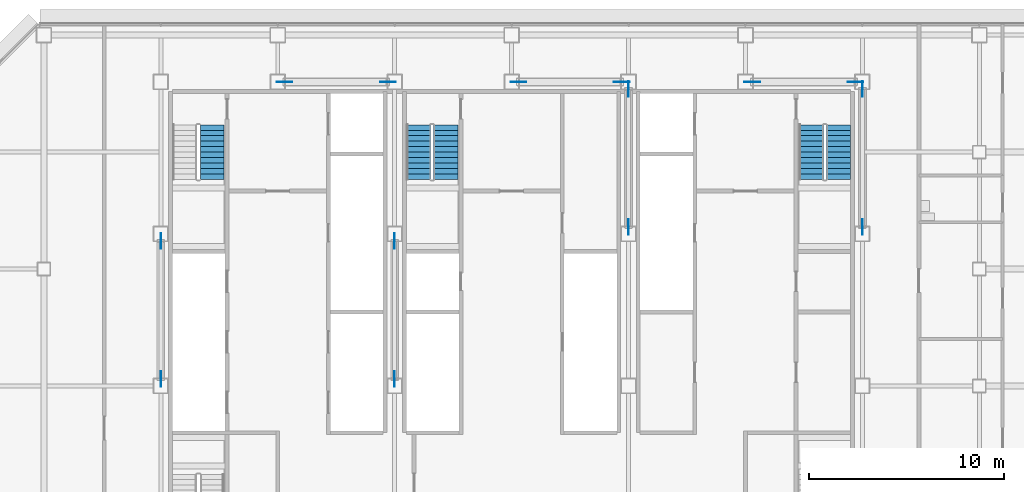
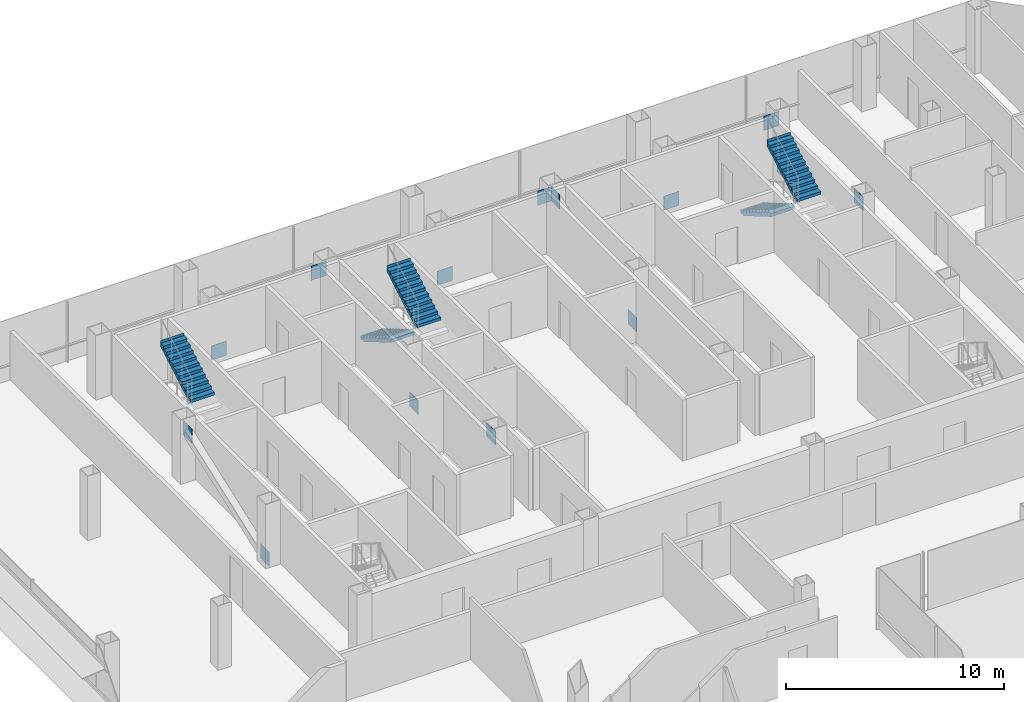
# One storey, part 22 of 26: 14 discrete accessories, 5 stair flights, 3 elements without a shape of their own.
"""IFC4 building model written with IfcOpenShell, lengths in metres."""

from ifc_helpers import new_model, si_unit, direction, frame, origin, origin_2d, place, context, subcontext, project, spatial, polyline, rectangle, outline, extrude, material, layer, layer_set, type_object, element, aggregate, save


model = new_model("IFC4")

# Units and contexts
model_context = context("Model", 3, precision=1e-05, world=origin(), true_north=direction((0.0, 1.0)))
body_context = subcontext(model_context, "Body", "Model", "MODEL_VIEW")
ifc_project = project(units=[si_unit("LENGTHUNIT", "METRE"), si_unit("AREAUNIT", "SQUARE_METRE"), si_unit("VOLUMEUNIT", "CUBIC_METRE"), si_unit("PLANEANGLEUNIT", "RADIAN"), si_unit("MASSUNIT", "GRAM", prefix="KILO")], contexts=[model_context])

# Site, building, storey
site_placement = place(None, origin())
site = spatial("IfcSite", under=ifc_project, at=site_placement, CompositionType="ELEMENT")
building_placement = place(site_placement, origin())
building = spatial("IfcBuilding", under=site, at=building_placement, Name="Sorahane Residences", CompositionType="ELEMENT")
storey_placement = place(building_placement, frame((0.0, 0.0, 103.39990234375)))
storey = spatial("IfcBuildingStorey", under=building, at=storey_placement, Name="L22", CompositionType="ELEMENT", Elevation=103.39990234375)

# Stair, stair flight
ifc_material_1 = material(Name="Concrete C40", Category="concrete")
stair_type = type_object("IfcStairType", Name="Dog-leg stair 1250 Concrete C40", PredefinedType="HALF_TURN_STAIR", material=ifc_material_1)
stair_1_placement = place(storey_placement, origin())
stair_1 = element("IfcStair", 1, at=stair_1_placement, inside=storey, type_object=stair_type, Name="L22 Stair S1", PredefinedType="HALF_TURN_STAIR")
ifc_material_2 = material(Name="Concrete C40", Category="concrete")
stair_flight_type = type_object("IfcStairFlightType", Name="Stair flight 1250 Concrete C40", PredefinedType="STRAIGHT", material=ifc_material_2)
stair_flight_1_placement = place(storey_placement, frame((8.625, 40.60009765625, 1.800048828125), z_axis=(0.0, 0.0, 1.0), x_axis=(0.0, 1.0, 0.0)))
stair_flight_1 = element("IfcStairFlight", 2, at=stair_flight_1_placement, type_object=stair_flight_type, Name="S1 flight 2", NumberOfRisers=11, NumberOfTreads=10, PredefinedType="STRAIGHT", RiserHeight=0.163636364, TreadLength=0.28, context=body_context, shape_type="SweptSolid", body=[
    extrude(outline(polyline([(0.0, 0.0), (0.0, 0.16357421875), (0.280029296875, 0.16357421875), (0.280029296875, 0.327392578125), (0.56005859375, 0.327392578125), (0.56005859375, 0.490966796875), (0.840087890625, 0.490966796875), (0.840087890625, 0.654541015625), (1.1201171875, 0.654541015625), (1.1201171875, 0.818115234375), (1.39990234375, 0.818115234375), (1.39990234375, 0.98193359375), (1.679931640625, 0.98193359375), (1.679931640625, 1.1455078125), (1.9599609375, 1.1455078125), (1.9599609375, 1.30908203125), (2.239990234375, 1.30908203125), (2.239990234375, 1.47265625), (2.52001953125, 1.47265625), (2.52001953125, 1.636474609375), (2.800048828125, 1.636474609375), (2.800048828125, 1.800048828125), (2.801513671875, 1.800048828125), (2.801513671875, 1.462646484375), (2.5927734375, 1.3408203125), (2.384033203125, 1.218994140625), (2.17529296875, 1.09716796875), (1.966796875, 0.97509765625), (1.758056640625, 0.853271484375), (1.54931640625, 0.7314453125), (1.340576171875, 0.609375), (1.1318359375, 0.487548828125), (0.923095703125, 0.36572265625), (0.714599609375, 0.243896484375), (0.505859375, 0.121826171875), (0.297119140625, 0.0), (0.0, 0.0)])), frame((0.0, 0.625, 0.0), z_axis=(0.0, -1.0, 0.0), x_axis=(1.0, 0.0, 0.0)), (0.0, 0.0, 1.0), 1.25),
])
aggregate(stair_1, [stair_flight_1])

# Stair, stair flights
stair_2_placement = place(storey_placement, origin())
stair_2 = element("IfcStair", 3, at=stair_2_placement, inside=storey, type_object=stair_type, Name="L22 Stair S2", PredefinedType="HALF_TURN_STAIR")
stair_flight_2_placement = place(storey_placement, frame((39.375, 43.39990234375, 0.0), z_axis=(0.0, 0.0, 1.0), x_axis=(0.0, -1.0, 0.0)))
stair_flight_2 = element("IfcStairFlight", 4, at=stair_flight_2_placement, type_object=stair_flight_type, Name="S2 flight 1", NumberOfRisers=11, NumberOfTreads=10, PredefinedType="STRAIGHT", RiserHeight=0.163636364, TreadLength=0.28, context=body_context, shape_type="SweptSolid", body=[
    extrude(outline(polyline([(-0.00146484375, 0.0), (-0.00146484375, 0.16357421875), (0.0, 0.16357421875), (0.280029296875, 0.16357421875), (0.280029296875, 0.327392578125), (0.56005859375, 0.327392578125), (0.56005859375, 0.490966796875), (0.840087890625, 0.490966796875), (0.840087890625, 0.654541015625), (1.1201171875, 0.654541015625), (1.1201171875, 0.818115234375), (1.39990234375, 0.818115234375), (1.39990234375, 0.98193359375), (1.679931640625, 0.98193359375), (1.679931640625, 1.1455078125), (1.9599609375, 1.1455078125), (1.9599609375, 1.30908203125), (2.239990234375, 1.30908203125), (2.239990234375, 1.47265625), (2.52001953125, 1.47265625), (2.52001953125, 1.636474609375), (2.800048828125, 1.636474609375), (2.800048828125, 1.800048828125), (2.800048828125, 1.462646484375), (2.59130859375, 1.3408203125), (2.3828125, 1.218994140625), (2.17431640625, 1.09716796875), (1.965576171875, 0.97509765625), (1.757080078125, 0.853271484375), (1.548583984375, 0.7314453125), (1.340087890625, 0.609375), (1.13134765625, 0.487548828125), (0.9228515625, 0.36572265625), (0.71435546875, 0.243896484375), (0.505615234375, 0.121826171875), (0.297119140625, 0.0), (-0.00146484375, 0.0)])), frame((0.0, 0.625, 0.0), z_axis=(0.0, -1.0, 0.0), x_axis=(1.0, 0.0, 0.0)), (0.0, 0.0, 1.0), 1.25),
])
stair_flight_3_placement = place(storey_placement, frame((40.77490234375, 40.60009765625, 1.800048828125), z_axis=(0.0, 0.0, 1.0), x_axis=(0.0, 1.0, 0.0)))
stair_flight_3 = element("IfcStairFlight", 5, at=stair_flight_3_placement, type_object=stair_flight_type, Name="S2 flight 2", NumberOfRisers=11, NumberOfTreads=10, PredefinedType="STRAIGHT", RiserHeight=0.163636364, TreadLength=0.28, context=body_context, shape_type="SweptSolid", body=[
    extrude(outline(polyline([(0.0, 0.0), (0.0, 0.16357421875), (0.280029296875, 0.16357421875), (0.280029296875, 0.327392578125), (0.56005859375, 0.327392578125), (0.56005859375, 0.490966796875), (0.840087890625, 0.490966796875), (0.840087890625, 0.654541015625), (1.1201171875, 0.654541015625), (1.1201171875, 0.818115234375), (1.39990234375, 0.818115234375), (1.39990234375, 0.98193359375), (1.679931640625, 0.98193359375), (1.679931640625, 1.1455078125), (1.9599609375, 1.1455078125), (1.9599609375, 1.30908203125), (2.239990234375, 1.30908203125), (2.239990234375, 1.47265625), (2.52001953125, 1.47265625), (2.52001953125, 1.636474609375), (2.800048828125, 1.636474609375), (2.800048828125, 1.800048828125), (2.801513671875, 1.800048828125), (2.801513671875, 1.462646484375), (2.5927734375, 1.3408203125), (2.384033203125, 1.218994140625), (2.17529296875, 1.09716796875), (1.966796875, 0.97509765625), (1.758056640625, 0.853271484375), (1.54931640625, 0.7314453125), (1.340576171875, 0.609375), (1.1318359375, 0.487548828125), (0.923095703125, 0.36572265625), (0.714599609375, 0.243896484375), (0.505859375, 0.121826171875), (0.297119140625, 0.0), (0.0, 0.0)])), frame((0.0, 0.625, 0.0), z_axis=(0.0, -1.0, 0.0), x_axis=(1.0, 0.0, 0.0)), (0.0, 0.0, 1.0), 1.25),
])
aggregate(stair_2, [stair_flight_2, stair_flight_3])

stair_3_placement = place(storey_placement, origin())
stair_3 = element("IfcStair", 6, at=stair_3_placement, inside=storey, type_object=stair_type, Name="L22 Stair S3", PredefinedType="HALF_TURN_STAIR")
stair_flight_4_placement = place(storey_placement, frame((19.22509765625, 43.39990234375, 0.0), z_axis=(0.0, 0.0, 1.0), x_axis=(0.0, -1.0, 0.0)))
stair_flight_4 = element("IfcStairFlight", 7, at=stair_flight_4_placement, type_object=stair_flight_type, Name="S3 flight 1", NumberOfRisers=11, NumberOfTreads=10, PredefinedType="STRAIGHT", RiserHeight=0.163636364, TreadLength=0.28, context=body_context, shape_type="SweptSolid", body=[
    extrude(outline(polyline([(-0.00146484375, 0.0), (-0.00146484375, 0.16357421875), (0.0, 0.16357421875), (0.280029296875, 0.16357421875), (0.280029296875, 0.327392578125), (0.56005859375, 0.327392578125), (0.56005859375, 0.490966796875), (0.840087890625, 0.490966796875), (0.840087890625, 0.654541015625), (1.1201171875, 0.654541015625), (1.1201171875, 0.818115234375), (1.39990234375, 0.818115234375), (1.39990234375, 0.98193359375), (1.679931640625, 0.98193359375), (1.679931640625, 1.1455078125), (1.9599609375, 1.1455078125), (1.9599609375, 1.30908203125), (2.239990234375, 1.30908203125), (2.239990234375, 1.47265625), (2.52001953125, 1.47265625), (2.52001953125, 1.636474609375), (2.800048828125, 1.636474609375), (2.800048828125, 1.800048828125), (2.800048828125, 1.462646484375), (2.59130859375, 1.3408203125), (2.3828125, 1.218994140625), (2.17431640625, 1.09716796875), (1.965576171875, 0.97509765625), (1.757080078125, 0.853271484375), (1.548583984375, 0.7314453125), (1.340087890625, 0.609375), (1.13134765625, 0.487548828125), (0.9228515625, 0.36572265625), (0.71435546875, 0.243896484375), (0.505615234375, 0.121826171875), (0.297119140625, 0.0), (-0.00146484375, 0.0)])), frame((0.0, 0.625, 0.0), z_axis=(0.0, -1.0, 0.0), x_axis=(1.0, 0.0, 0.0)), (0.0, 0.0, 1.0), 1.25),
])
stair_flight_5_placement = place(storey_placement, frame((20.625, 40.60009765625, 1.800048828125), z_axis=(0.0, 0.0, 1.0), x_axis=(0.0, 1.0, 0.0)))
stair_flight_5 = element("IfcStairFlight", 8, at=stair_flight_5_placement, type_object=stair_flight_type, Name="S3 flight 2", NumberOfRisers=11, NumberOfTreads=10, PredefinedType="STRAIGHT", RiserHeight=0.163636364, TreadLength=0.28, context=body_context, shape_type="SweptSolid", body=[
    extrude(outline(polyline([(0.0, 0.0), (0.0, 0.16357421875), (0.280029296875, 0.16357421875), (0.280029296875, 0.327392578125), (0.56005859375, 0.327392578125), (0.56005859375, 0.490966796875), (0.840087890625, 0.490966796875), (0.840087890625, 0.654541015625), (1.1201171875, 0.654541015625), (1.1201171875, 0.818115234375), (1.39990234375, 0.818115234375), (1.39990234375, 0.98193359375), (1.679931640625, 0.98193359375), (1.679931640625, 1.1455078125), (1.9599609375, 1.1455078125), (1.9599609375, 1.30908203125), (2.239990234375, 1.30908203125), (2.239990234375, 1.47265625), (2.52001953125, 1.47265625), (2.52001953125, 1.636474609375), (2.800048828125, 1.636474609375), (2.800048828125, 1.800048828125), (2.801513671875, 1.800048828125), (2.801513671875, 1.462646484375), (2.5927734375, 1.3408203125), (2.384033203125, 1.218994140625), (2.17529296875, 1.09716796875), (1.966796875, 0.97509765625), (1.758056640625, 0.853271484375), (1.54931640625, 0.7314453125), (1.340576171875, 0.609375), (1.1318359375, 0.487548828125), (0.923095703125, 0.36572265625), (0.714599609375, 0.243896484375), (0.505859375, 0.121826171875), (0.297119140625, 0.0), (0.0, 0.0)])), frame((0.0, 0.625, 0.0), z_axis=(0.0, -1.0, 0.0), x_axis=(1.0, 0.0, 0.0)), (0.0, 0.0, 1.0), 1.25),
])
aggregate(stair_3, [stair_flight_4, stair_flight_5])

# Discrete accessories
ifc_material_3 = material(Name="Steel Q355B", Category="steel")
ifc_layer = layer(ifc_material_3, 0.02490234375)
ifc_layer_set = layer_set([ifc_layer], Name="Node plate Steel Q355B 25")
discrete_accessory_type = type_object("IfcDiscreteAccessoryType", Name="Node plate Steel Q355B 25", PredefinedType="BRACKET", material=ifc_layer_set)
for number, where, z_axis, x_axis, name in (
    (9, (6.0, 30.358642578125, -0.21533203125), (0.0, 0.0, 1.0), (0.0, 1.0, 0.0), "Node plate L22 br"),
    (10, (6.0, 37.44140625, 2.38525390625), (0.0, 0.0, 1.0), (0.0, 1.0, 0.0), "Node plate L22 br"),
    (11, (18.0, 37.44140625, -0.21533203125), (0.0, 0.0, 1.0), (0.0, 1.0, 0.0), "Node plate L22 br"),
    (12, (18.0, 30.358642578125, 2.38525390625), (0.0, 0.0, 1.0), (0.0, 1.0, 0.0), "Node plate L22 br"),
    (13, (30.0, 38.15869140625, -0.21533203125), (0.0, 0.0, 1.0), (0.0, 1.0, 0.0), "Node plate L22 br"),
    (14, (30.0, 45.241455078125, 2.38525390625), (0.0, 0.0, 1.0), (0.0, 1.0, 0.0), "Node plate L22 br"),
    (15, (42.0, 45.241455078125, -0.21533203125), (0.0, 0.0, 1.0), (0.0, 1.0, 0.0), "Node plate L22 br"),
    (16, (42.0, 38.15869140625, 2.38525390625), (0.0, 0.0, 1.0), (0.0, 1.0, 0.0), "Node plate L22 br"),
    (17, (12.3466796875, 45.60009765625, -0.22607421875), (0.0, 0.0, 1.0), (1.0, 0.0, 0.0), "Node plate L22 br"),
    (18, (24.3466796875, 45.60009765625, -0.22607421875), (0.0, 0.0, 1.0), (1.0, 0.0, 0.0), "Node plate L22 br"),
    (19, (36.3466796875, 45.60009765625, -0.22607421875), (0.0, 0.0, 1.0), (1.0, 0.0, 0.0), "Node plate L22 br"),
    (20, (17.6533203125, 45.60009765625, 2.396484375), (0.0, 0.0, 1.0), (1.0, 0.0, 0.0), "Node plate L22 br"),
    (21, (29.6533203125, 45.60009765625, 2.396484375), (0.0, 0.0, 1.0), (1.0, 0.0, 0.0), "Node plate L22 br"),
    (22, (41.6533203125, 45.60009765625, 2.396484375), (0.0, 0.0, 1.0), (1.0, 0.0, 0.0), "Node plate L22 br"),
):
    element("IfcDiscreteAccessory", number, at=place(storey_placement, frame(where, z_axis=z_axis, x_axis=x_axis)), inside=storey, type_object=discrete_accessory_type, Name=name, PredefinedType="BRACKET", context=body_context, shape_type="SweptSolid", body=[
        extrude(rectangle(XDim=0.800048828125, YDim=0.02490234375, at=origin_2d()), origin(), (0.0, 0.0, 1.0), 0.800048828125),
    ])

save(model, "model.ifc")
